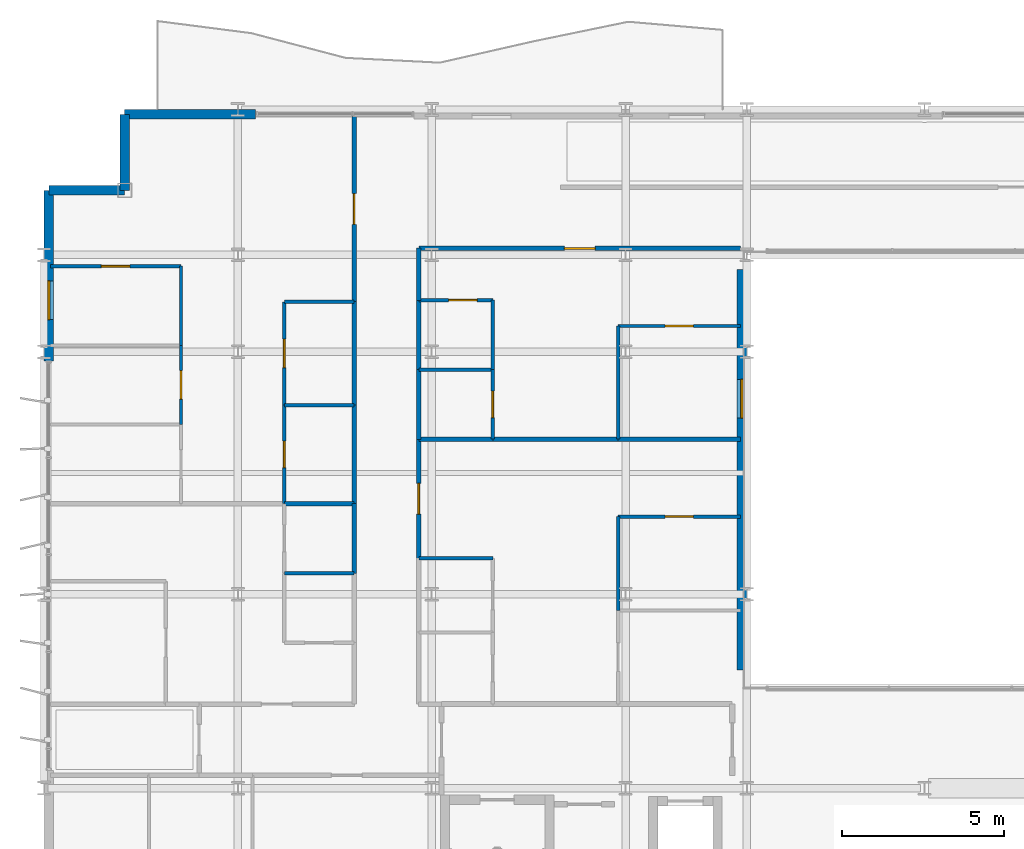
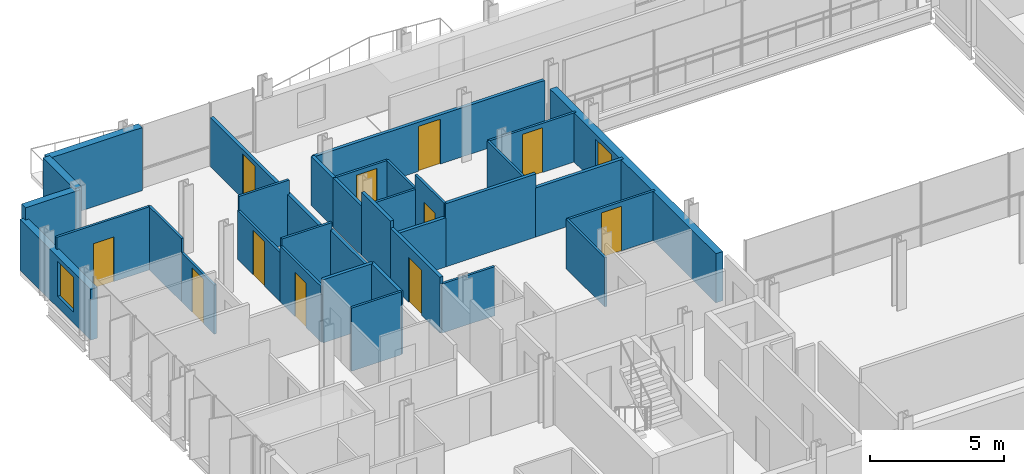
# One storey, part 29 of 38: 35 walls, 11 doors, 2 windows, 13 openings.
"""IFC4 building model written with IfcOpenShell, lengths in metres."""

from ifc_helpers import new_model, si_unit, direction, frame, frame_2d, origin, place, context, subcontext, project, spatial, rectangle, extrude, material, layer, layer_set, type_object, element, fill, save


model = new_model("IFC4")

# Units and contexts
model_context = context("Model", 3, precision=1e-05, world=origin(), true_north=direction((0.0, 1.0)))
body_context = subcontext(model_context, "Body", "Model", "MODEL_VIEW")
ifc_project = project(units=[si_unit("LENGTHUNIT", "METRE"), si_unit("AREAUNIT", "SQUARE_METRE"), si_unit("VOLUMEUNIT", "CUBIC_METRE"), si_unit("PLANEANGLEUNIT", "RADIAN"), si_unit("MASSUNIT", "GRAM", prefix="KILO")], contexts=[model_context])

# Site, building, storey
site_placement = place(None, origin())
site = spatial("IfcSite", under=ifc_project, at=site_placement, CompositionType="ELEMENT")
building_placement = place(site_placement, origin())
building = spatial("IfcBuilding", under=site, at=building_placement, Name="Brevholm Reach", CompositionType="ELEMENT")
storey_placement = place(building_placement, frame((0.0, 0.0, 128.300048828125)))
storey = spatial("IfcBuildingStorey", under=building, at=storey_placement, Name="L38", CompositionType="ELEMENT", Elevation=128.300048828125)

# Walls
ifc_material_1 = material(Name="Concrete C40/50", Category="concrete")
ifc_layer_1 = layer(ifc_material_1, 0.300048828125)
ifc_layer_set_1 = layer_set([ifc_layer_1], Name="Concrete C40/50")
wall_type_1 = type_object("IfcWallType", Name="WAL-EXT-300", PredefinedType="STANDARD", material=ifc_layer_set_1)
for number, where, z_axis, x_axis, name in (
    (1, (2.5, 30.85009765625, 0.0), (0.0, 0.0, 1.0), (0.0, -1.0, 0.0), "L38 Facade Wall WAL-L38-CNW1"),
    (2, (2.5, 28.5, 0.0), (0.0, 0.0, 1.0), (-1.0, 0.0, 0.0), "L38 Facade Wall WAL-L38-CNW2"),
):
    element("IfcWall", number, at=place(storey_placement, frame(where, z_axis=z_axis, x_axis=x_axis)), inside=storey, type_object=wall_type_1, Name=name, PredefinedType="STANDARD", context=body_context, shape_type="SweptSolid", body=[
        extrude(rectangle(XDim=2.35009765625, YDim=0.300048828125, at=frame_2d((1.175048828125, 0.0))), origin(), (0.0, 0.0, 1.0), 2.8798828125),
    ])

# Wall, opening, window
wall_1_placement = place(storey_placement, frame((0.14990234375, 28.5, 0.0), z_axis=(0.0, 0.0, 1.0), x_axis=(0.0, -1.0, 0.0)))
wall_1 = element("IfcWall", 3, at=wall_1_placement, inside=storey, type_object=wall_type_1, Name="L38 Facade Wall WAL-L38-W-N", PredefinedType="STANDARD", context=body_context, shape_type="SweptSolid", body=[
    extrude(rectangle(XDim=5.280029296875, YDim=0.300048828125, at=frame_2d((2.64013671875, 0.0))), origin(), (0.0, 0.0, 1.0), 2.32177734375),
])
opening_1_placement = place(wall_1_placement, frame((2.800048828125, 0.0, 0.501953125)))
opening_1 = element("IfcOpeningElement", 4, at=opening_1_placement, cuts=wall_1, Name="Opening WN-08", PredefinedType="OPENING", context=body_context, shape_type="SweptSolid", body=[
    extrude(rectangle(XDim=1.199951171875, YDim=1.60009765625, at=frame_2d((0.60009765625, 0.800048828125))), frame((0.0, 0.159912109375, 0.0), z_axis=(0.0, -1.0, 0.0), x_axis=(1.0, 0.0, 0.0)), (0.0, 0.0, 1.0), 0.320068359375),
])
ifc_material_2 = material(Name="Dark Anodised Aluminium and Solar-Control IGU Glass", Category="aluminium")
window_type = type_object("IfcWindowType", Name="WIN-RES-1200", PartitioningType="SINGLE_PANEL", PredefinedType="WINDOW", material=ifc_material_2)
window_1_placement = place(opening_1_placement, origin())
window_1 = element("IfcWindow", 5, at=window_1_placement, inside=storey, type_object=window_type, Name="L38 Window WIN-L38-WN-1", OverallHeight=1.60009765625, OverallWidth=1.199951171875, PartitioningType="SINGLE_PANEL", PredefinedType="WINDOW", context=body_context, shape_type="SweptSolid", body=[
    extrude(rectangle(XDim=1.199951171875, YDim=1.60009765625, at=frame_2d((0.60009765625, 0.800048828125))), frame((0.0, 0.030029296875, 0.0), z_axis=(0.0, -1.0, 0.0), x_axis=(1.0, 0.0, 0.0)), (0.0, 0.0, 1.0), 0.06005859375),
])
fill(opening_1, window_1)

# Wall
wall_2_placement = place(storey_placement, frame((2.5, 30.85009765625, 0.0), z_axis=(0.0, 0.0, 1.0), x_axis=(1.0, 0.0, 0.0)))
element("IfcWall", 6, at=wall_2_placement, inside=storey, type_object=wall_type_1, Name="L38 Facade Wall WAL-L38-NP-W0", PredefinedType="STANDARD", context=body_context, shape_type="SweptSolid", body=[
    extrude(rectangle(XDim=4.050048828125, YDim=0.300048828125, at=frame_2d((2.02490234375, 0.0))), origin(), (0.0, 0.0, 1.0), 2.8798828125),
])

# Wall, opening, window
wall_3_placement = place(storey_placement, frame((21.60009765625, 26.050048828125, 0.0), z_axis=(0.0, 0.0, 1.0), x_axis=(0.0, -1.0, 0.0)))
wall_3 = element("IfcWall", 7, at=wall_3_placement, inside=storey, type_object=wall_type_1, Name="L38 Facade Wall WAL-L38-AT-W", PredefinedType="STANDARD", context=body_context, shape_type="SweptSolid", body=[
    extrude(rectangle(XDim=12.400146484375, YDim=0.300048828125, at=frame_2d((6.2001953125, 0.0))), origin(), (0.0, 0.0, 1.0), 2.24267578125),
])
opening_2_placement = place(wall_3_placement, frame((3.39990234375, 0.0, 0.423095703125)))
opening_2 = element("IfcOpeningElement", 8, at=opening_2_placement, cuts=wall_3, Name="Opening WN-08", PredefinedType="OPENING", context=body_context, shape_type="SweptSolid", body=[
    extrude(rectangle(XDim=1.199951171875, YDim=1.60009765625, at=frame_2d((0.60009765625, 0.800048828125))), frame((0.0, 0.159912109375, 0.0), z_axis=(0.0, -1.0, 0.0), x_axis=(1.0, 0.0, 0.0)), (0.0, 0.0, 1.0), 0.320068359375),
])
window_2_placement = place(opening_2_placement, origin())
window_2 = element("IfcWindow", 9, at=window_2_placement, inside=storey, type_object=window_type, Name="L38 Window WIN-L38-AT-W1", OverallHeight=1.60009765625, OverallWidth=1.199951171875, PartitioningType="SINGLE_PANEL", PredefinedType="WINDOW", context=body_context, shape_type="SweptSolid", body=[
    extrude(rectangle(XDim=1.199951171875, YDim=1.60009765625, at=frame_2d((0.60009765625, 0.800048828125))), frame((0.0, 0.030029296875, 0.0), z_axis=(0.0, -1.0, 0.0), x_axis=(1.0, 0.0, 0.0)), (0.0, 0.0, 1.0), 0.06005859375),
])
fill(opening_2, window_2)

# Walls
ifc_material_3 = material(Name="Moisture-Resistant Acoustic Gypsum Stud Partition 100 mm", Category="gypsum")
ifc_layer_2 = layer(ifc_material_3, 0.10009765625)
ifc_layer_set_2 = layer_set([ifc_layer_2], Name="Moisture-Resistant Acoustic Gypsum Stud Partition 100 mm")
wall_type_2 = type_object("IfcWallType", Name="WAL-PRT-100", PredefinedType="PARTITIONING", material=ifc_layer_set_2)
for number, where, z_axis, x_axis, name in (
    (10, (7.43798828125, 16.64990234375, 0.0), (0.0, 0.0, 1.0), (1.0, 0.0, 0.0), "L38 Internal Partition 084"),
    (11, (7.43798828125, 21.85009765625, 0.0), (0.0, 0.0, 1.0), (1.0, 0.0, 0.0), "L38 Internal Partition 093"),
):
    element("IfcWall", number, at=place(storey_placement, frame(where, z_axis=z_axis, x_axis=x_axis)), inside=storey, type_object=wall_type_2, Name=name, PredefinedType="PARTITIONING", context=body_context, shape_type="SweptSolid", body=[
        extrude(rectangle(XDim=2.157958984375, YDim=0.10009765625, at=frame_2d((1.0791015625, 0.0))), origin(), (0.0, 0.0, 1.0), 2.8798828125),
    ])

# Wall, opening, door
wall_4_placement = place(storey_placement, frame((7.43798828125, 18.803955078125, 0.0), z_axis=(0.0, 0.0, 1.0), x_axis=(0.0, 1.0, 0.0)))
wall_4 = element("IfcWall", 12, at=wall_4_placement, inside=storey, type_object=wall_type_2, Name="L38 Internal Partition 094", PredefinedType="PARTITIONING", context=body_context, shape_type="SweptSolid", body=[
    extrude(rectangle(XDim=3.046142578125, YDim=0.10009765625, at=frame_2d((1.52294921875, 0.0))), origin(), (0.0, 0.0, 1.0), 2.551513671875),
])
opening_3_placement = place(wall_4_placement, frame((1.113037109375, 0.0, 0.0)))
opening_3 = element("IfcOpeningElement", 13, at=opening_3_placement, cuts=wall_4, Name="Opening ID-03", PredefinedType="OPENING", context=body_context, shape_type="SweptSolid", body=[
    extrude(rectangle(XDim=0.820068359375, YDim=2.02001953125, at=frame_2d((0.41015625, 1.010009765625))), frame((0.0, 0.06005859375, 0.0), z_axis=(0.0, -1.0, 0.0), x_axis=(1.0, 0.0, 0.0)), (0.0, 0.0, 1.0), 0.1201171875),
])
ifc_material_4 = material(Name="Moisture-Resistant Painted Timber Internal Bathroom Door", Category="wood")
door_type_1 = type_object("IfcDoorType", Name="DOR-BATH-820", OperationType="NOTDEFINED", PredefinedType="DOOR", material=ifc_material_4)
door_1_placement = place(opening_3_placement, origin())
door_1 = element("IfcDoor", 14, at=door_1_placement, inside=storey, type_object=door_type_1, Name="L38 Internal Door 033", OperationType="SINGLE_SWING_LEFT", OverallHeight=2.02001953125, OverallWidth=0.820068359375, PredefinedType="DOOR", context=body_context, shape_type="SweptSolid", body=[
    extrude(rectangle(XDim=0.820068359375, YDim=2.02001953125, at=frame_2d((0.41015625, 1.010009765625))), frame((0.0, 0.02490234375, 0.0), z_axis=(0.0, -1.0, 0.0), x_axis=(1.0, 0.0, 0.0)), (0.0, 0.0, 1.0), 0.050048828125),
])
fill(opening_3, door_1)

# Wall
wall_5_placement = place(storey_placement, frame((7.43798828125, 25.050048828125, 0.0), z_axis=(0.0, 0.0, 1.0), x_axis=(1.0, 0.0, 0.0)))
element("IfcWall", 15, at=wall_5_placement, inside=storey, type_object=wall_type_2, Name="L38 Internal Partition 095", PredefinedType="PARTITIONING", context=body_context, shape_type="SweptSolid", body=[
    extrude(rectangle(XDim=2.157958984375, YDim=0.10009765625, at=frame_2d((1.0791015625, 0.0))), origin(), (0.0, 0.0, 1.0), 2.8798828125),
])

# Wall, opening, door
wall_6_placement = place(storey_placement, frame((7.43798828125, 21.85400390625, 0.0), z_axis=(0.0, 0.0, 1.0), x_axis=(0.0, 1.0, 0.0)))
wall_6 = element("IfcWall", 16, at=wall_6_placement, inside=storey, type_object=wall_type_2, Name="L38 Internal Partition 096", PredefinedType="PARTITIONING", context=body_context, shape_type="SweptSolid", body=[
    extrude(rectangle(XDim=3.196044921875, YDim=0.10009765625, at=frame_2d((1.59814453125, 0.0))), origin(), (0.0, 0.0, 1.0), 2.24267578125),
])
opening_4_placement = place(wall_6_placement, frame((1.157958984375, 0.0, 0.0)))
opening_4 = element("IfcOpeningElement", 17, at=opening_4_placement, cuts=wall_6, Name="Opening ID-01", PredefinedType="OPENING", context=body_context, shape_type="SweptSolid", body=[
    extrude(rectangle(XDim=0.8798828125, YDim=2.0400390625, at=frame_2d((0.43994140625, 1.02001953125))), frame((0.0, 0.06005859375, 0.0), z_axis=(0.0, -1.0, 0.0), x_axis=(1.0, 0.0, 0.0)), (0.0, 0.0, 1.0), 0.1201171875),
])
ifc_material_5 = material(Name="Lacquered Ash Solid-Core Acoustic Internal Door", Category="timber")
door_type_2 = type_object("IfcDoorType", Name="DOR-INT-880", OperationType="NOTDEFINED", PredefinedType="DOOR", material=ifc_material_5)
door_2_placement = place(opening_4_placement, origin())
door_2 = element("IfcDoor", 18, at=door_2_placement, inside=storey, type_object=door_type_2, Name="L38 Internal Door 034", OperationType="SINGLE_SWING_RIGHT", OverallHeight=2.0400390625, OverallWidth=0.8798828125, PredefinedType="DOOR", context=body_context, shape_type="SweptSolid", body=[
    extrude(rectangle(XDim=0.8798828125, YDim=2.0400390625, at=frame_2d((0.43994140625, 1.02001953125))), frame((0.0, 0.02490234375, 0.0), z_axis=(0.0, -1.0, 0.0), x_axis=(1.0, 0.0, 0.0)), (0.0, 0.0, 1.0), 0.050048828125),
])
fill(opening_4, door_2)

wall_7_placement = place(storey_placement, frame((4.241943359375, 21.25390625, 0.0), z_axis=(0.0, 0.0, 1.0), x_axis=(0.0, 1.0, 0.0)))
wall_7 = element("IfcWall", 19, at=wall_7_placement, inside=storey, type_object=wall_type_2, Name="L38 Internal Partition 100", PredefinedType="PARTITIONING", context=body_context, shape_type="SweptSolid", body=[
    extrude(rectangle(XDim=2.446044921875, YDim=0.10009765625, at=frame_2d((1.22314453125, 0.0))), origin(), (0.0, 0.0, 1.0), 2.24267578125),
])
opening_5_placement = place(wall_7_placement, frame((0.782958984375, 0.0, 0.0)))
opening_5 = element("IfcOpeningElement", 20, at=opening_5_placement, cuts=wall_7, Name="Opening ID-01", PredefinedType="OPENING", context=body_context, shape_type="SweptSolid", body=[
    extrude(rectangle(XDim=0.8798828125, YDim=2.0400390625, at=frame_2d((0.43994140625, 1.02001953125))), frame((0.0, 0.06005859375, 0.0), z_axis=(0.0, -1.0, 0.0), x_axis=(1.0, 0.0, 0.0)), (0.0, 0.0, 1.0), 0.1201171875),
])
door_3_placement = place(opening_5_placement, origin())
door_3 = element("IfcDoor", 21, at=door_3_placement, inside=storey, type_object=door_type_2, Name="L38 Internal Door 036", OperationType="SINGLE_SWING_RIGHT", OverallHeight=2.0400390625, OverallWidth=0.8798828125, PredefinedType="DOOR", context=body_context, shape_type="SweptSolid", body=[
    extrude(rectangle(XDim=0.8798828125, YDim=2.0400390625, at=frame_2d((0.43994140625, 1.02001953125))), frame((0.0, 0.02490234375, 0.0), z_axis=(0.0, -1.0, 0.0), x_axis=(1.0, 0.0, 0.0)), (0.0, 0.0, 1.0), 0.050048828125),
])
fill(opening_5, door_3)

# Wall
wall_8_placement = place(storey_placement, frame((4.241943359375, 23.7041015625, 0.0), z_axis=(0.0, 0.0, 1.0), x_axis=(0.0, 1.0, 0.0)))
element("IfcWall", 22, at=wall_8_placement, inside=storey, type_object=wall_type_2, Name="L38 Internal Partition 101", PredefinedType="PARTITIONING", context=body_context, shape_type="SweptSolid", body=[
    extrude(rectangle(XDim=2.44580078125, YDim=0.10009765625, at=frame_2d((1.222900390625, 0.0))), origin(), (0.0, 0.0, 1.0), 2.8798828125),
])

# Wall, opening, door
wall_9_placement = place(storey_placement, frame((0.199951171875, 26.14990234375, 0.0), z_axis=(0.0, 0.0, 1.0), x_axis=(1.0, 0.0, 0.0)))
wall_9 = element("IfcWall", 23, at=wall_9_placement, inside=storey, type_object=wall_type_2, Name="L38 Internal Partition 102", PredefinedType="PARTITIONING", context=body_context, shape_type="SweptSolid", body=[
    extrude(rectangle(XDim=4.0419921875, YDim=0.10009765625, at=frame_2d((2.02099609375, 0.0))), origin(), (0.0, 0.0, 1.0), 2.8798828125),
])
opening_6_placement = place(wall_9_placement, frame((1.5810546875, 0.0, 0.0)))
opening_6 = element("IfcOpeningElement", 24, at=opening_6_placement, cuts=wall_9, Name="Opening ID-01", PredefinedType="OPENING", context=body_context, shape_type="SweptSolid", body=[
    extrude(rectangle(XDim=0.8798828125, YDim=2.0400390625, at=frame_2d((0.43994140625, 1.02001953125))), frame((0.0, 0.06005859375, 0.0), z_axis=(0.0, -1.0, 0.0), x_axis=(1.0, 0.0, 0.0)), (0.0, 0.0, 1.0), 0.1201171875),
])
door_4_placement = place(opening_6_placement, origin())
door_4 = element("IfcDoor", 25, at=door_4_placement, inside=storey, type_object=door_type_2, Name="L38 Internal Door 037", OperationType="SINGLE_SWING_LEFT", OverallHeight=2.0400390625, OverallWidth=0.8798828125, PredefinedType="DOOR", context=body_context, shape_type="SweptSolid", body=[
    extrude(rectangle(XDim=0.8798828125, YDim=2.0400390625, at=frame_2d((0.43994140625, 1.02001953125))), frame((0.0, 0.02490234375, 0.0), z_axis=(0.0, -1.0, 0.0), x_axis=(1.0, 0.0, 0.0)), (0.0, 0.0, 1.0), 0.050048828125),
])
fill(opening_6, door_4)

# Wall
wall_10_placement = place(storey_placement, frame((11.60400390625, 17.110107421875, 0.0), z_axis=(0.0, 0.0, 1.0), x_axis=(1.0, 0.0, 0.0)))
element("IfcWall", 26, at=wall_10_placement, inside=storey, type_object=wall_type_2, Name="L38 Internal Partition 106", PredefinedType="PARTITIONING", context=body_context, shape_type="SweptSolid", body=[
    extrude(rectangle(XDim=2.284912109375, YDim=0.10009765625, at=frame_2d((1.142578125, 0.0))), origin(), (0.0, 0.0, 1.0), 2.24267578125),
])

# Wall, opening, door
wall_11_placement = place(storey_placement, frame((17.76904296875, 18.39990234375, 0.0), z_axis=(0.0, 0.0, 1.0), x_axis=(1.0, 0.0, 0.0)))
wall_11 = element("IfcWall", 27, at=wall_11_placement, inside=storey, type_object=wall_type_2, Name="L38 Internal Partition 109", PredefinedType="PARTITIONING", context=body_context, shape_type="SweptSolid", body=[
    extrude(rectangle(XDim=3.781005859375, YDim=0.10009765625, at=frame_2d((1.890625, 0.0))), origin(), (0.0, 0.0, 1.0), 2.24267578125),
])
opening_7_placement = place(wall_11_placement, frame((1.450439453125, 0.0, 0.0)))
opening_7 = element("IfcOpeningElement", 28, at=opening_7_placement, cuts=wall_11, Name="Opening ID-01", PredefinedType="OPENING", context=body_context, shape_type="SweptSolid", body=[
    extrude(rectangle(XDim=0.8798828125, YDim=2.0400390625, at=frame_2d((0.43994140625, 1.02001953125))), frame((0.0, 0.06005859375, 0.0), z_axis=(0.0, -1.0, 0.0), x_axis=(1.0, 0.0, 0.0)), (0.0, 0.0, 1.0), 0.1201171875),
])
door_5_placement = place(opening_7_placement, origin())
door_5 = element("IfcDoor", 29, at=door_5_placement, inside=storey, type_object=door_type_2, Name="L38 Internal Door 041", OperationType="SINGLE_SWING_LEFT", OverallHeight=2.0400390625, OverallWidth=0.8798828125, PredefinedType="DOOR", context=body_context, shape_type="SweptSolid", body=[
    extrude(rectangle(XDim=0.8798828125, YDim=2.0400390625, at=frame_2d((0.43994140625, 1.02001953125))), frame((0.0, 0.02490234375, 0.0), z_axis=(0.0, -1.0, 0.0), x_axis=(1.0, 0.0, 0.0)), (0.0, 0.0, 1.0), 0.050048828125),
])
fill(opening_7, door_5)

# Walls
wall_12_placement = place(storey_placement, frame((17.76904296875, 15.50390625, 0.0), z_axis=(0.0, 0.0, 1.0), x_axis=(0.0, 1.0, 0.0)))
element("IfcWall", 30, at=wall_12_placement, inside=storey, type_object=wall_type_2, Name="L38 Internal Partition 110", PredefinedType="PARTITIONING", context=body_context, shape_type="SweptSolid", body=[
    extrude(rectangle(XDim=2.89599609375, YDim=0.10009765625, at=frame_2d((1.447998046875, 0.0))), origin(), (0.0, 0.0, 1.0), 2.24267578125),
])
wall_13_placement = place(storey_placement, frame((11.60400390625, 22.949951171875, 0.0), z_axis=(0.0, 0.0, 1.0), x_axis=(1.0, 0.0, 0.0)))
element("IfcWall", 31, at=wall_13_placement, inside=storey, type_object=wall_type_2, Name="L38 Internal Partition 114", PredefinedType="PARTITIONING", context=body_context, shape_type="SweptSolid", body=[
    extrude(rectangle(XDim=2.284912109375, YDim=0.10009765625, at=frame_2d((1.142578125, 0.0))), origin(), (0.0, 0.0, 1.0), 2.24267578125),
])

# Wall, opening, door
wall_14_placement = place(storey_placement, frame((13.888916015625, 20.803955078125, 0.0), z_axis=(0.0, 0.0, 1.0), x_axis=(0.0, 1.0, 0.0)))
wall_14 = element("IfcWall", 32, at=wall_14_placement, inside=storey, type_object=wall_type_2, Name="L38 Internal Partition 115", PredefinedType="PARTITIONING", context=body_context, shape_type="SweptSolid", body=[
    extrude(rectangle(XDim=2.14599609375, YDim=0.10009765625, at=frame_2d((1.072998046875, 0.0))), origin(), (0.0, 0.0, 1.0), 2.8798828125),
])
opening_8_placement = place(wall_14_placement, frame((0.6630859375, 0.0, 0.0)))
opening_8 = element("IfcOpeningElement", 33, at=opening_8_placement, cuts=wall_14, Name="Opening ID-03", PredefinedType="OPENING", context=body_context, shape_type="SweptSolid", body=[
    extrude(rectangle(XDim=0.820068359375, YDim=2.02001953125, at=frame_2d((0.41015625, 1.010009765625))), frame((0.0, 0.06005859375, 0.0), z_axis=(0.0, -1.0, 0.0), x_axis=(1.0, 0.0, 0.0)), (0.0, 0.0, 1.0), 0.1201171875),
])
door_6_placement = place(opening_8_placement, origin())
door_6 = element("IfcDoor", 34, at=door_6_placement, inside=storey, type_object=door_type_1, Name="L38 Internal Door 042", OperationType="SINGLE_SWING_RIGHT", OverallHeight=2.02001953125, OverallWidth=0.820068359375, PredefinedType="DOOR", context=body_context, shape_type="SweptSolid", body=[
    extrude(rectangle(XDim=0.820068359375, YDim=2.02001953125, at=frame_2d((0.41015625, 1.010009765625))), frame((0.0, 0.02490234375, 0.0), z_axis=(0.0, -1.0, 0.0), x_axis=(1.0, 0.0, 0.0)), (0.0, 0.0, 1.0), 0.050048828125),
])
fill(opening_8, door_6)

# Wall
wall_15_placement = place(storey_placement, frame((13.888916015625, 22.9541015625, 0.0), z_axis=(0.0, 0.0, 1.0), x_axis=(0.0, 1.0, 0.0)))
element("IfcWall", 35, at=wall_15_placement, inside=storey, type_object=wall_type_2, Name="L38 Internal Partition 116", PredefinedType="PARTITIONING", context=body_context, shape_type="SweptSolid", body=[
    extrude(rectangle(XDim=2.14599609375, YDim=0.10009765625, at=frame_2d((1.072998046875, 0.0))), origin(), (0.0, 0.0, 1.0), 2.24267578125),
])

# Wall, opening, door
wall_16_placement = place(storey_placement, frame((11.60400390625, 25.10009765625, 0.0), z_axis=(0.0, 0.0, 1.0), x_axis=(1.0, 0.0, 0.0)))
wall_16 = element("IfcWall", 36, at=wall_16_placement, inside=storey, type_object=wall_type_2, Name="L38 Internal Partition 117", PredefinedType="PARTITIONING", context=body_context, shape_type="SweptSolid", body=[
    extrude(rectangle(XDim=2.284912109375, YDim=0.10009765625, at=frame_2d((1.142578125, 0.0))), origin(), (0.0, 0.0, 1.0), 2.24267578125),
])
opening_9_placement = place(wall_16_placement, frame((0.922607421875, 0.0, 0.0)))
opening_9 = element("IfcOpeningElement", 37, at=opening_9_placement, cuts=wall_16, Name="Opening ID-01", PredefinedType="OPENING", context=body_context, shape_type="SweptSolid", body=[
    extrude(rectangle(XDim=0.8798828125, YDim=2.0400390625, at=frame_2d((0.43994140625, 1.02001953125))), frame((0.0, 0.06005859375, 0.0), z_axis=(0.0, -1.0, 0.0), x_axis=(1.0, 0.0, 0.0)), (0.0, 0.0, 1.0), 0.1201171875),
])
door_7_placement = place(opening_9_placement, origin())
door_7 = element("IfcDoor", 38, at=door_7_placement, inside=storey, type_object=door_type_2, Name="L38 Internal Door 043", OperationType="SINGLE_SWING_LEFT", OverallHeight=2.0400390625, OverallWidth=0.8798828125, PredefinedType="DOOR", context=body_context, shape_type="SweptSolid", body=[
    extrude(rectangle(XDim=0.8798828125, YDim=2.0400390625, at=frame_2d((0.43994140625, 1.02001953125))), frame((0.0, 0.02490234375, 0.0), z_axis=(0.0, -1.0, 0.0), x_axis=(1.0, 0.0, 0.0)), (0.0, 0.0, 1.0), 0.050048828125),
])
fill(opening_9, door_7)

wall_17_placement = place(storey_placement, frame((17.76904296875, 24.300048828125, 0.0), z_axis=(0.0, 0.0, 1.0), x_axis=(1.0, 0.0, 0.0)))
wall_17 = element("IfcWall", 39, at=wall_17_placement, inside=storey, type_object=wall_type_2, Name="L38 Internal Partition 118", PredefinedType="PARTITIONING", context=body_context, shape_type="SweptSolid", body=[
    extrude(rectangle(XDim=3.781005859375, YDim=0.10009765625, at=frame_2d((1.890625, 0.0))), origin(), (0.0, 0.0, 1.0), 2.24267578125),
])
opening_10_placement = place(wall_17_placement, frame((1.450439453125, 0.0, 0.0)))
opening_10 = element("IfcOpeningElement", 40, at=opening_10_placement, cuts=wall_17, Name="Opening ID-01", PredefinedType="OPENING", context=body_context, shape_type="SweptSolid", body=[
    extrude(rectangle(XDim=0.8798828125, YDim=2.0400390625, at=frame_2d((0.43994140625, 1.02001953125))), frame((0.0, 0.06005859375, 0.0), z_axis=(0.0, -1.0, 0.0), x_axis=(1.0, 0.0, 0.0)), (0.0, 0.0, 1.0), 0.1201171875),
])
door_8_placement = place(opening_10_placement, origin())
door_8 = element("IfcDoor", 41, at=door_8_placement, inside=storey, type_object=door_type_2, Name="L38 Internal Door 044", OperationType="SINGLE_SWING_RIGHT", OverallHeight=2.0400390625, OverallWidth=0.8798828125, PredefinedType="DOOR", context=body_context, shape_type="SweptSolid", body=[
    extrude(rectangle(XDim=0.8798828125, YDim=2.0400390625, at=frame_2d((0.43994140625, 1.02001953125))), frame((0.0, 0.02490234375, 0.0), z_axis=(0.0, -1.0, 0.0), x_axis=(1.0, 0.0, 0.0)), (0.0, 0.0, 1.0), 0.050048828125),
])
fill(opening_10, door_8)

# Walls
wall_18_placement = place(storey_placement, frame((17.76904296875, 20.803955078125, 0.0), z_axis=(0.0, 0.0, 1.0), x_axis=(0.0, 1.0, 0.0)))
element("IfcWall", 42, at=wall_18_placement, inside=storey, type_object=wall_type_2, Name="L38 Internal Partition 119", PredefinedType="PARTITIONING", context=body_context, shape_type="SweptSolid", body=[
    extrude(rectangle(XDim=3.49609375, YDim=0.10009765625, at=frame_2d((1.748046875, 0.0))), origin(), (0.0, 0.0, 1.0), 2.24267578125),
])
ifc_material_6 = material(Name="Twin-Stud Acoustic Fire-Rated Gypsum Partition 140 mm", Category="gypsum")
ifc_layer_3 = layer(ifc_material_6, 0.139892578125)
ifc_layer_set_3 = layer_set([ifc_layer_3], Name="Twin-Stud Acoustic Fire-Rated Gypsum Partition 140 mm")
wall_type_3 = type_object("IfcWallType", Name="WAL-PRT-140", PredefinedType="PARTITIONING", material=ifc_layer_set_3)
wall_19_placement = place(storey_placement, frame((9.60009765625, 16.638671875, 0.0), z_axis=(0.0, 0.0, 1.0), x_axis=(0.0, 1.0, 0.0)))
element("IfcWall", 43, at=wall_19_placement, inside=storey, type_object=wall_type_3, Name="L38 Internal Partition 031", PredefinedType="PARTITIONING", context=body_context, shape_type="SweptSolid", body=[
    extrude(rectangle(XDim=2.172607421875, YDim=0.139892578125, at=frame_2d((1.08642578125, 0.0))), origin(), (0.0, 0.0, 1.0), 2.8798828125),
])
wall_20_placement = place(storey_placement, frame((9.60009765625, 18.792724609375, 0.0), z_axis=(0.0, 0.0, 1.0), x_axis=(0.0, 1.0, 0.0)))
element("IfcWall", 44, at=wall_20_placement, inside=storey, type_object=wall_type_3, Name="L38 Internal Partition 034", PredefinedType="PARTITIONING", context=body_context, shape_type="SweptSolid", body=[
    extrude(rectangle(XDim=3.068603515625, YDim=0.139892578125, at=frame_2d((1.5341796875, 0.0))), origin(), (0.0, 0.0, 1.0), 2.551513671875),
])
wall_21_placement = place(storey_placement, frame((9.60009765625, 21.8427734375, 0.0), z_axis=(0.0, 0.0, 1.0), x_axis=(0.0, 1.0, 0.0)))
element("IfcWall", 45, at=wall_21_placement, inside=storey, type_object=wall_type_3, Name="L38 Internal Partition 035", PredefinedType="PARTITIONING", context=body_context, shape_type="SweptSolid", body=[
    extrude(rectangle(XDim=3.218505859375, YDim=0.139892578125, at=frame_2d((1.609375, 0.0))), origin(), (0.0, 0.0, 1.0), 2.24267578125),
])

# Wall, opening, door
wall_22_placement = place(storey_placement, frame((9.60009765625, 25.042724609375, 0.0), z_axis=(0.0, 0.0, 1.0), x_axis=(0.0, 1.0, 0.0)))
wall_22 = element("IfcWall", 46, at=wall_22_placement, inside=storey, type_object=wall_type_3, Name="L38 Internal Partition 036", PredefinedType="PARTITIONING", context=body_context, shape_type="SweptSolid", body=[
    extrude(rectangle(XDim=5.75732421875, YDim=0.139892578125, at=frame_2d((2.878662109375, 0.0))), origin(), (0.0, 0.0, 1.0), 2.24267578125),
])
opening_11_placement = place(wall_22_placement, frame((2.40380859375, 0.0, 0.0)))
opening_11 = element("IfcOpeningElement", 47, at=opening_11_placement, cuts=wall_22, Name="Opening ID-30", PredefinedType="OPENING", context=body_context, shape_type="SweptSolid", body=[
    extrude(rectangle(XDim=0.949951171875, YDim=2.050048828125, at=frame_2d((0.47509765625, 1.02490234375))), frame((0.0, 0.079833984375, 0.0), z_axis=(0.0, -1.0, 0.0), x_axis=(1.0, 0.0, 0.0)), (0.0, 0.0, 1.0), 0.159912109375),
])
ifc_material_7 = material(Name="European Oak Veneered Solid-Core Fire Entrance Door", Category="timber")
door_type_3 = type_object("IfcDoorType", Name="DOR-FLT-FD30S", OperationType="NOTDEFINED", PredefinedType="DOOR", material=ifc_material_7)
door_9_placement = place(opening_11_placement, origin())
door_9 = element("IfcDoor", 48, at=door_9_placement, inside=storey, type_object=door_type_3, Name="L38 Internal Door 015", OperationType="SINGLE_SWING_LEFT", OverallHeight=2.050048828125, OverallWidth=0.949951171875, PredefinedType="DOOR", context=body_context, shape_type="SweptSolid", body=[
    extrude(rectangle(XDim=0.949951171875, YDim=2.050048828125, at=frame_2d((0.47509765625, 1.02490234375))), frame((0.0, 0.02490234375, 0.0), z_axis=(0.0, -1.0, 0.0), x_axis=(1.0, 0.0, 0.0)), (0.0, 0.0, 1.0), 0.050048828125),
])
fill(opening_11, door_9)

wall_23_placement = place(storey_placement, frame((11.60009765625, 17.102783203125, 0.0), z_axis=(0.0, 0.0, 1.0), x_axis=(0.0, 1.0, 0.0)))
wall_23 = element("IfcWall", 49, at=wall_23_placement, inside=storey, type_object=wall_type_3, Name="L38 Internal Partition 039", PredefinedType="PARTITIONING", context=body_context, shape_type="SweptSolid", body=[
    extrude(rectangle(XDim=3.70849609375, YDim=0.139892578125, at=frame_2d((1.854248046875, 0.0))), origin(), (0.0, 0.0, 1.0), 2.551513671875),
])
opening_12_placement = place(wall_23_placement, frame((1.37939453125, 0.0, 0.0)))
opening_12 = element("IfcOpeningElement", 50, at=opening_12_placement, cuts=wall_23, Name="Opening ID-30", PredefinedType="OPENING", context=body_context, shape_type="SweptSolid", body=[
    extrude(rectangle(XDim=0.949951171875, YDim=2.050048828125, at=frame_2d((0.47509765625, 1.02490234375))), frame((0.0, 0.079833984375, 0.0), z_axis=(0.0, -1.0, 0.0), x_axis=(1.0, 0.0, 0.0)), (0.0, 0.0, 1.0), 0.159912109375),
])
door_10_placement = place(opening_12_placement, origin())
door_10 = element("IfcDoor", 51, at=door_10_placement, inside=storey, type_object=door_type_3, Name="L38 Internal Door 016", OperationType="SINGLE_SWING_RIGHT", OverallHeight=2.050048828125, OverallWidth=0.949951171875, PredefinedType="DOOR", context=body_context, shape_type="SweptSolid", body=[
    extrude(rectangle(XDim=0.949951171875, YDim=2.050048828125, at=frame_2d((0.47509765625, 1.02490234375))), frame((0.0, 0.02490234375, 0.0), z_axis=(0.0, -1.0, 0.0), x_axis=(1.0, 0.0, 0.0)), (0.0, 0.0, 1.0), 0.050048828125),
])
fill(opening_12, door_10)

# Walls
wall_24_placement = place(storey_placement, frame((11.60009765625, 20.792724609375, 0.0), z_axis=(0.0, 0.0, 1.0), x_axis=(0.0, 1.0, 0.0)))
element("IfcWall", 52, at=wall_24_placement, inside=storey, type_object=wall_type_3, Name="L38 Internal Partition 040", PredefinedType="PARTITIONING", context=body_context, shape_type="SweptSolid", body=[
    extrude(rectangle(XDim=2.16845703125, YDim=0.139892578125, at=frame_2d((1.084228515625, 0.0))), origin(), (0.0, 0.0, 1.0), 2.8798828125),
])
wall_25_placement = place(storey_placement, frame((11.60009765625, 22.942626953125, 0.0), z_axis=(0.0, 0.0, 1.0), x_axis=(0.0, 1.0, 0.0)))
element("IfcWall", 53, at=wall_25_placement, inside=storey, type_object=wall_type_3, Name="L38 Internal Partition 041", PredefinedType="PARTITIONING", context=body_context, shape_type="SweptSolid", body=[
    extrude(rectangle(XDim=2.168701171875, YDim=0.139892578125, at=frame_2d((1.08447265625, 0.0))), origin(), (0.0, 0.0, 1.0), 2.24267578125),
])
wall_26_placement = place(storey_placement, frame((11.60009765625, 25.0927734375, 0.0), z_axis=(0.0, 0.0, 1.0), x_axis=(0.0, 1.0, 0.0)))
element("IfcWall", 54, at=wall_26_placement, inside=storey, type_object=wall_type_3, Name="L38 Internal Partition 042", PredefinedType="PARTITIONING", context=body_context, shape_type="SweptSolid", body=[
    extrude(rectangle(XDim=1.614501953125, YDim=0.139892578125, at=frame_2d((0.80712890625, 0.0))), origin(), (0.0, 0.0, 1.0), 2.24267578125),
])

# Wall, opening, door
wall_27_placement = place(storey_placement, frame((11.60400390625, 26.699951171875, 0.0), z_axis=(0.0, 0.0, 1.0), x_axis=(1.0, 0.0, 0.0)))
wall_27 = element("IfcWall", 55, at=wall_27_placement, inside=storey, type_object=wall_type_3, Name="L38 Internal Partition 055", PredefinedType="PARTITIONING", context=body_context, shape_type="SweptSolid", body=[
    extrude(rectangle(XDim=9.957275390625, YDim=0.139892578125, at=frame_2d((4.978515625, 0.0))), origin(), (0.0, 0.0, 1.0), 2.24267578125),
])
opening_13_placement = place(wall_27_placement, frame((4.503662109375, 0.0, 0.0)))
opening_13 = element("IfcOpeningElement", 56, at=opening_13_placement, cuts=wall_27, Name="Opening ID-30", PredefinedType="OPENING", context=body_context, shape_type="SweptSolid", body=[
    extrude(rectangle(XDim=0.949951171875, YDim=2.050048828125, at=frame_2d((0.47509765625, 1.02490234375))), frame((0.0, 0.079833984375, 0.0), z_axis=(0.0, -1.0, 0.0), x_axis=(1.0, 0.0, 0.0)), (0.0, 0.0, 1.0), 0.159912109375),
])
door_11_placement = place(opening_13_placement, origin())
door_11 = element("IfcDoor", 57, at=door_11_placement, inside=storey, type_object=door_type_3, Name="L38 Internal Door 020", OperationType="SINGLE_SWING_RIGHT", OverallHeight=2.050048828125, OverallWidth=0.949951171875, PredefinedType="DOOR", context=body_context, shape_type="SweptSolid", body=[
    extrude(rectangle(XDim=0.949951171875, YDim=2.050048828125, at=frame_2d((0.47509765625, 1.02490234375))), frame((0.0, 0.02490234375, 0.0), z_axis=(0.0, -1.0, 0.0), x_axis=(1.0, 0.0, 0.0)), (0.0, 0.0, 1.0), 0.050048828125),
])
fill(opening_13, door_11)

# Walls
wall_28_placement = place(storey_placement, frame((7.43798828125, 18.800048828125, 0.0), z_axis=(0.0, 0.0, 1.0), x_axis=(1.0, 0.0, 0.0)))
element("IfcWall", 58, at=wall_28_placement, inside=storey, type_object=wall_type_3, Name="L38 Internal Partition 086", PredefinedType="PARTITIONING", context=body_context, shape_type="SweptSolid", body=[
    extrude(rectangle(XDim=2.157958984375, YDim=0.139892578125, at=frame_2d((1.0791015625, 0.0))), origin(), (0.0, 0.0, 1.0), 2.8798828125),
])
wall_29_placement = place(storey_placement, frame((11.60400390625, 20.800048828125, 0.0), z_axis=(0.0, 0.0, 1.0), x_axis=(1.0, 0.0, 0.0)))
element("IfcWall", 59, at=wall_29_placement, inside=storey, type_object=wall_type_3, Name="L38 Internal Partition 111", PredefinedType="PARTITIONING", context=body_context, shape_type="SweptSolid", body=[
    extrude(rectangle(XDim=2.29638671875, YDim=0.139892578125, at=frame_2d((1.148193359375, 0.0))), origin(), (0.0, 0.0, 1.0), 2.24267578125),
])
wall_30_placement = place(storey_placement, frame((17.7578125, 20.800048828125, 0.0), z_axis=(0.0, 0.0, 1.0), x_axis=(1.0, 0.0, 0.0)))
element("IfcWall", 60, at=wall_30_placement, inside=storey, type_object=wall_type_3, Name="L38 Internal Partition 112", PredefinedType="PARTITIONING", context=body_context, shape_type="SweptSolid", body=[
    extrude(rectangle(XDim=3.792236328125, YDim=0.139892578125, at=frame_2d((1.89599609375, 0.0))), origin(), (0.0, 0.0, 1.0), 2.24267578125),
])
wall_31_placement = place(storey_placement, frame((13.881591796875, 20.800048828125, 0.0), z_axis=(0.0, 0.0, 1.0), x_axis=(1.0, 0.0, 0.0)))
element("IfcWall", 61, at=wall_31_placement, inside=storey, type_object=wall_type_3, Name="L38 Internal Partition 113", PredefinedType="PARTITIONING", context=body_context, shape_type="SweptSolid", body=[
    extrude(rectangle(XDim=3.894775390625, YDim=0.139892578125, at=frame_2d((1.947265625, 0.0))), origin(), (0.0, 0.0, 1.0), 2.8798828125),
])

save(model, "model.ifc")
